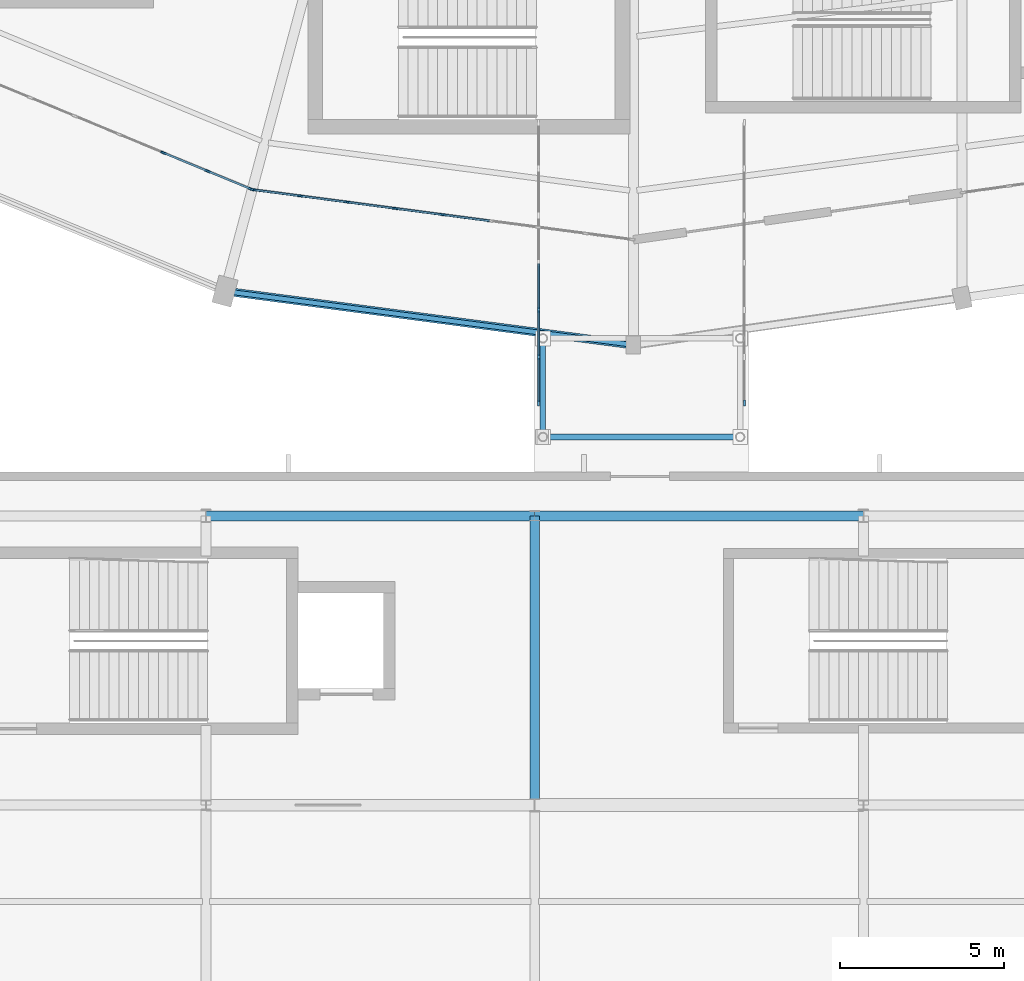
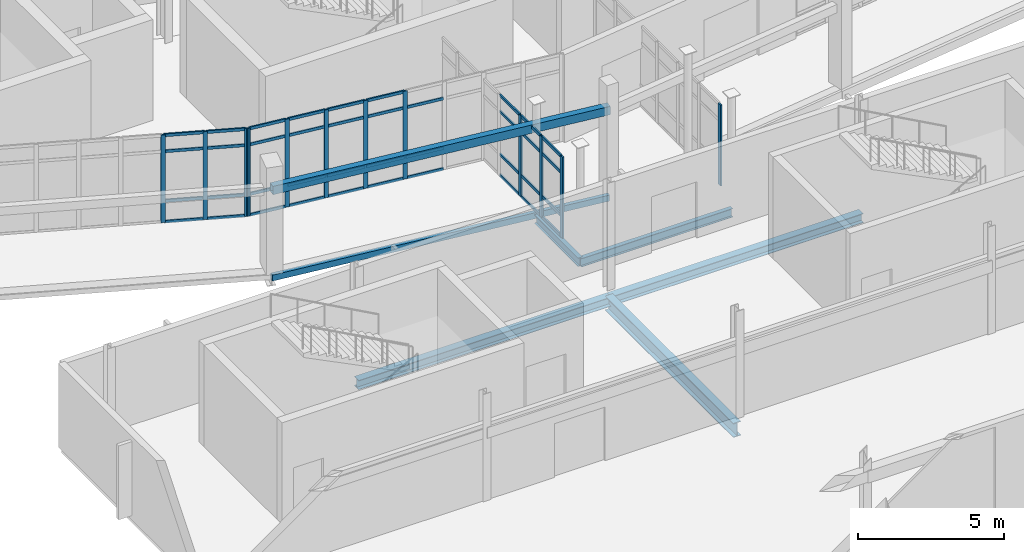
# One storey, part 35 of 122: 51 members, 7 beams, 4 elements without a shape of their own.
"""IFC4 building model written with IfcOpenShell, lengths in metres."""

from ifc_helpers import new_model, si_unit, direction, frame, origin, origin_2d, place, context, subcontext, project, spatial, rectangle, hollow_rectangle, i_section, extrude, material, layer, layer_set, material_profile, profile_set, type_object, element, aggregate, save


model = new_model("IFC4")

# Units and contexts
model_context = context("Model", 3, precision=1e-05, world=origin(), true_north=direction((0.0, 1.0)))
body_context = subcontext(model_context, "Body", "Model", "MODEL_VIEW")
ifc_project = project(units=[si_unit("LENGTHUNIT", "METRE"), si_unit("AREAUNIT", "SQUARE_METRE"), si_unit("VOLUMEUNIT", "CUBIC_METRE"), si_unit("PLANEANGLEUNIT", "RADIAN"), si_unit("MASSUNIT", "GRAM", prefix="KILO")], contexts=[model_context])

# Site, building, storey
site_placement = place(None, origin())
site = spatial("IfcSite", under=ifc_project, at=site_placement, CompositionType="ELEMENT")
building_placement = place(site_placement, origin())
building = spatial("IfcBuilding", under=site, at=building_placement, Name="Sohan Crest Arena", CompositionType="ELEMENT")
storey_placement = place(building_placement, origin())
storey = spatial("IfcBuildingStorey", under=building, at=storey_placement, Name="L00", CompositionType="ELEMENT", Elevation=0.0)

# Curtain wall, members
ifc_material_1 = material(Name="Thermally broken anodised aluminium", Category="aluminium")
ifc_layer_1 = layer(ifc_material_1, 0.179931640625, Name="Thermally broken anodised aluminium")
ifc_layer_set_1 = layer_set([ifc_layer_1], Name="Thermally broken anodised aluminium")
curtain_wall_type_1 = type_object("IfcCurtainWallType", Name="ARC-CW01", PredefinedType="NOTDEFINED", material=ifc_layer_set_1)
curtain_wall_1_placement = place(storey_placement, origin())
curtain_wall_1 = element("IfcCurtainWall", 1, at=curtain_wall_1_placement, inside=storey, type_object=curtain_wall_type_1, Name="Unitised curtain wall CW-006", PredefinedType="NOTDEFINED")
ifc_material_profile_1 = material_profile(ifc_material_1, rectangle(XDim=0.06005859375, YDim=0.159912109375, at=origin_2d()), Name="ALU-MULL 60x160")
ifc_profile_set_1 = profile_set([ifc_material_profile_1], Name="Thermally broken anodised aluminium")
member_type_1 = type_object("IfcMemberType", Name="ARC-CW-ML01", PredefinedType="MULLION", material=ifc_profile_set_1)
member_1_placement = place(storey_placement, frame((83.703857421875, 35.845703125, 0.0), z_axis=(0.0, 0.0, 1.0), x_axis=(0.38264128051, 0.923896991255, 0.0)))
member_1 = element("IfcMember", 2, at=member_1_placement, type_object=member_type_1, Name="CW-006 mullion 7", PredefinedType="MULLION", context=body_context, shape_type="SweptSolid", body=[
    extrude(rectangle(XDim=0.06005859375, YDim=0.159912109375, at=origin_2d()), origin(), (0.0, 0.0, 1.0), 3.679931640625),
])
member_2_placement = place(storey_placement, frame((85.054443359375, 35.286376953125, 0.0), z_axis=(0.0, 0.0, 1.0), x_axis=(0.38264128051, 0.923896991255, 0.0)))
member_2 = element("IfcMember", 3, at=member_2_placement, type_object=member_type_1, Name="CW-006 mullion 8", PredefinedType="MULLION", context=body_context, shape_type="SweptSolid", body=[
    extrude(rectangle(XDim=0.06005859375, YDim=0.159912109375, at=origin_2d()), origin(), (0.0, 0.0, 1.0), 3.679931640625),
])
member_3_placement = place(storey_placement, frame((86.377197265625, 34.738525390625, 0.0), z_axis=(0.0, 0.0, 1.0), x_axis=(0.38264128051, 0.923896991255, 0.0)))
member_3 = element("IfcMember", 4, at=member_3_placement, type_object=member_type_1, Name="CW-006 mullion 9", PredefinedType="MULLION", context=body_context, shape_type="SweptSolid", body=[
    extrude(rectangle(XDim=0.06005859375, YDim=0.159912109375, at=origin_2d()), origin(), (0.0, 0.0, 1.0), 3.679931640625),
])

curtain_wall_2_placement = place(storey_placement, origin())
curtain_wall_2 = element("IfcCurtainWall", 5, at=curtain_wall_2_placement, inside=storey, type_object=curtain_wall_type_1, Name="Unitised curtain wall CW-007", PredefinedType="NOTDEFINED")
member_4_placement = place(storey_placement, frame((86.434814453125, 34.72314453125, 0.0), z_axis=(0.0, 0.0, 1.0), x_axis=(0.13056731648, 0.991439446395, 0.0)))
member_4 = element("IfcMember", 6, at=member_4_placement, type_object=member_type_1, Name="CW-007 mullion 1", PredefinedType="MULLION", context=body_context, shape_type="SweptSolid", body=[
    extrude(rectangle(XDim=0.06005859375, YDim=0.159912109375, at=origin_2d()), origin(), (0.0, 0.0, 1.0), 3.679931640625),
])
member_5_placement = place(storey_placement, frame((87.8544921875, 34.5361328125, 0.0), z_axis=(0.0, 0.0, 1.0), x_axis=(0.13056731648, 0.991439446395, 0.0)))
member_5 = element("IfcMember", 7, at=member_5_placement, type_object=member_type_1, Name="CW-007 mullion 2", PredefinedType="MULLION", context=body_context, shape_type="SweptSolid", body=[
    extrude(rectangle(XDim=0.06005859375, YDim=0.159912109375, at=origin_2d()), origin(), (0.0, 0.0, 1.0), 3.679931640625),
])
member_6_placement = place(storey_placement, frame((89.3037109375, 34.34521484375, 0.0), z_axis=(0.0, 0.0, 1.0), x_axis=(0.13056731648, 0.991439446395, 0.0)))
member_6 = element("IfcMember", 8, at=member_6_placement, type_object=member_type_1, Name="CW-007 mullion 3", PredefinedType="MULLION", context=body_context, shape_type="SweptSolid", body=[
    extrude(rectangle(XDim=0.06005859375, YDim=0.159912109375, at=origin_2d()), origin(), (0.0, 0.0, 1.0), 3.679931640625),
])
member_7_placement = place(storey_placement, frame((90.753173828125, 34.154296875, 0.0), z_axis=(0.0, 0.0, 1.0), x_axis=(0.13056731648, 0.991439446395, 0.0)))
member_7 = element("IfcMember", 9, at=member_7_placement, type_object=member_type_1, Name="CW-007 mullion 4", PredefinedType="MULLION", context=body_context, shape_type="SweptSolid", body=[
    extrude(rectangle(XDim=0.06005859375, YDim=0.159912109375, at=origin_2d()), origin(), (0.0, 0.0, 1.0), 3.679931640625),
])
member_8_placement = place(storey_placement, frame((92.202392578125, 33.96337890625, 0.0), z_axis=(0.0, 0.0, 1.0), x_axis=(0.13056731648, 0.991439446395, 0.0)))
member_8 = element("IfcMember", 10, at=member_8_placement, type_object=member_type_1, Name="CW-007 mullion 5", PredefinedType="MULLION", context=body_context, shape_type="SweptSolid", body=[
    extrude(rectangle(XDim=0.06005859375, YDim=0.159912109375, at=origin_2d()), origin(), (0.0, 0.0, 1.0), 3.679931640625),
])

ifc_layer_2 = layer(ifc_material_1, 0.18994140625, Name="Thermally broken anodised aluminium")
ifc_layer_set_2 = layer_set([ifc_layer_2], Name="Thermally broken anodised aluminium")
curtain_wall_type_2 = type_object("IfcCurtainWallType", Name="ARC-CW05", PredefinedType="NOTDEFINED", material=ifc_layer_set_2)
curtain_wall_3_placement = place(storey_placement, origin())
curtain_wall_3 = element("IfcCurtainWall", 11, at=curtain_wall_3_placement, inside=storey, type_object=curtain_wall_type_2, Name="Unitised curtain wall CW-247", PredefinedType="NOTDEFINED")
ifc_material_profile_2 = material_profile(ifc_material_1, rectangle(XDim=0.06494140625, YDim=0.179931640625, at=origin_2d()), Name="ALU-MULL 65x180")
ifc_profile_set_2 = profile_set([ifc_material_profile_2], Name="Thermally broken anodised aluminium")
member_type_2 = type_object("IfcMemberType", Name="ARC-CW-ML02", PredefinedType="MULLION", material=ifc_profile_set_2)
member_9_placement = place(storey_placement, frame((95.1201171875, 28.232421875, 0.0), z_axis=(0.0, 0.0, 1.0), x_axis=(-1.0, 0.0, 0.0)))
member_9 = element("IfcMember", 12, at=member_9_placement, type_object=member_type_2, Name="CW-247 mullion 1", PredefinedType="MULLION", context=body_context, shape_type="SweptSolid", body=[
    extrude(rectangle(XDim=0.06494140625, YDim=0.179931640625, at=origin_2d()), origin(), (0.0, 0.0, 1.0), 3.39990234375),
])
member_10_placement = place(storey_placement, frame((95.1201171875, 29.63330078125, 0.0), z_axis=(0.0, 0.0, 1.0), x_axis=(-1.0, 0.0, 0.0)))
member_10 = element("IfcMember", 13, at=member_10_placement, type_object=member_type_2, Name="CW-247 mullion 2", PredefinedType="MULLION", context=body_context, shape_type="SweptSolid", body=[
    extrude(rectangle(XDim=0.06494140625, YDim=0.179931640625, at=origin_2d()), origin(), (0.0, 0.0, 1.0), 3.39990234375),
])
member_11_placement = place(storey_placement, frame((95.1201171875, 31.066650390625, 0.0), z_axis=(0.0, 0.0, 1.0), x_axis=(-1.0, 0.0, 0.0)))
member_11 = element("IfcMember", 14, at=member_11_placement, type_object=member_type_2, Name="CW-247 mullion 3", PredefinedType="MULLION", context=body_context, shape_type="SweptSolid", body=[
    extrude(rectangle(XDim=0.06494140625, YDim=0.179931640625, at=origin_2d()), origin(), (0.0, 0.0, 1.0), 3.39990234375),
])

# Curtain wall, member
curtain_wall_4_placement = place(storey_placement, origin())
curtain_wall_4 = element("IfcCurtainWall", 15, at=curtain_wall_4_placement, inside=storey, type_object=curtain_wall_type_2, Name="Unitised curtain wall CW-248", PredefinedType="NOTDEFINED")
member_12_placement = place(storey_placement, frame((101.3798828125, 28.232421875, 0.0), z_axis=(0.0, 0.0, 1.0), x_axis=(-1.0, 0.0, 0.0)))
member_12 = element("IfcMember", 16, at=member_12_placement, type_object=member_type_2, Name="CW-248 mullion 1", PredefinedType="MULLION", context=body_context, shape_type="SweptSolid", body=[
    extrude(rectangle(XDim=0.06494140625, YDim=0.179931640625, at=origin_2d()), origin(), (0.0, 0.0, 1.0), 3.39990234375),
])
aggregate(curtain_wall_4, [member_12])

# Member
ifc_material_profile_3 = material_profile(ifc_material_1, rectangle(XDim=0.06005859375, YDim=0.1201171875, at=origin_2d()), Name="ALU-TRAN 60x120")
ifc_profile_set_3 = profile_set([ifc_material_profile_3], Name="Thermally broken anodised aluminium")
member_type_3 = type_object("IfcMemberType", Name="ARC-CW-TR01", PredefinedType="USERDEFINED", material=ifc_profile_set_3)
member_13_placement = place(storey_placement, frame((83.7314453125, 35.834228515625, 0.030029296875), z_axis=(0.923904341671, -0.382623532262, 0.0), x_axis=(0.382623532262, 0.923904341671, 0.0)))
member_13 = element("IfcMember", 17, at=member_13_placement, type_object=member_type_3, Name="CW-006 transom 7.1", ObjectType="TRANSOM", PredefinedType="USERDEFINED", context=body_context, shape_type="SweptSolid", body=[
    extrude(rectangle(XDim=0.06005859375, YDim=0.1201171875, at=origin_2d()), origin(), (0.0, 0.0, 1.0), 1.40185546875),
])

member_14_placement = place(storey_placement, frame((83.7314453125, 35.834228515625, 0.89990234375), z_axis=(0.923904341671, -0.382623532262, 0.0), x_axis=(0.382623532262, 0.923904341671, 0.0)))
member_14 = element("IfcMember", 18, at=member_14_placement, type_object=member_type_3, Name="CW-006 transom 7.2", ObjectType="TRANSOM", PredefinedType="USERDEFINED", context=body_context, shape_type="SweptSolid", body=[
    extrude(rectangle(XDim=0.06005859375, YDim=0.1201171875, at=origin_2d()), origin(), (0.0, 0.0, 1.0), 1.40185546875),
])

member_15_placement = place(storey_placement, frame((83.7314453125, 35.834228515625, 2.97998046875), z_axis=(0.923904341671, -0.382623532262, 0.0), x_axis=(0.382623532262, 0.923904341671, 0.0)))
member_15 = element("IfcMember", 19, at=member_15_placement, type_object=member_type_3, Name="CW-006 transom 7.3", ObjectType="TRANSOM", PredefinedType="USERDEFINED", context=body_context, shape_type="SweptSolid", body=[
    extrude(rectangle(XDim=0.06005859375, YDim=0.1201171875, at=origin_2d()), origin(), (0.0, 0.0, 1.0), 1.40185546875),
])

member_16_placement = place(storey_placement, frame((83.7314453125, 35.834228515625, 3.64990234375), z_axis=(0.923904341671, -0.382623532262, 0.0), x_axis=(0.382623532262, 0.923904341671, 0.0)))
member_16 = element("IfcMember", 20, at=member_16_placement, type_object=member_type_3, Name="CW-006 transom 7.4", ObjectType="TRANSOM", PredefinedType="USERDEFINED", context=body_context, shape_type="SweptSolid", body=[
    extrude(rectangle(XDim=0.06005859375, YDim=0.1201171875, at=origin_2d()), origin(), (0.0, 0.0, 1.0), 1.40185546875),
])

member_17_placement = place(storey_placement, frame((85.08203125, 35.27490234375, 0.030029296875), z_axis=(0.923917076656, -0.382592780202, 0.0), x_axis=(0.382592780202, 0.923917076656, 0.0)))
member_17 = element("IfcMember", 21, at=member_17_placement, type_object=member_type_3, Name="CW-006 transom 8.1", ObjectType="TRANSOM", PredefinedType="USERDEFINED", context=body_context, shape_type="SweptSolid", body=[
    extrude(rectangle(XDim=0.06005859375, YDim=0.1201171875, at=origin_2d()), origin(), (0.0, 0.0, 1.0), 1.3720703125),
])

member_18_placement = place(storey_placement, frame((85.08203125, 35.27490234375, 0.89990234375), z_axis=(0.923917076656, -0.382592780202, 0.0), x_axis=(0.382592780202, 0.923917076656, 0.0)))
member_18 = element("IfcMember", 22, at=member_18_placement, type_object=member_type_3, Name="CW-006 transom 8.2", ObjectType="TRANSOM", PredefinedType="USERDEFINED", context=body_context, shape_type="SweptSolid", body=[
    extrude(rectangle(XDim=0.06005859375, YDim=0.1201171875, at=origin_2d()), origin(), (0.0, 0.0, 1.0), 1.3720703125),
])

member_19_placement = place(storey_placement, frame((85.08203125, 35.27490234375, 2.97998046875), z_axis=(0.923917076656, -0.382592780202, 0.0), x_axis=(0.382592780202, 0.923917076656, 0.0)))
member_19 = element("IfcMember", 23, at=member_19_placement, type_object=member_type_3, Name="CW-006 transom 8.3", ObjectType="TRANSOM", PredefinedType="USERDEFINED", context=body_context, shape_type="SweptSolid", body=[
    extrude(rectangle(XDim=0.06005859375, YDim=0.1201171875, at=origin_2d()), origin(), (0.0, 0.0, 1.0), 1.3720703125),
])

member_20_placement = place(storey_placement, frame((85.08203125, 35.27490234375, 3.64990234375), z_axis=(0.923917076656, -0.382592780202, 0.0), x_axis=(0.382592780202, 0.923917076656, 0.0)))
member_20 = element("IfcMember", 24, at=member_20_placement, type_object=member_type_3, Name="CW-006 transom 8.4", ObjectType="TRANSOM", PredefinedType="USERDEFINED", context=body_context, shape_type="SweptSolid", body=[
    extrude(rectangle(XDim=0.06005859375, YDim=0.1201171875, at=origin_2d()), origin(), (0.0, 0.0, 1.0), 1.3720703125),
])

aggregate(curtain_wall_1, [member_1, member_2, member_3, member_13, member_14, member_15, member_16, member_17, member_18, member_19, member_20])

member_21_placement = place(storey_placement, frame((86.464599609375, 34.71923828125, 0.030029296875), z_axis=(0.991431868961, -0.130624841468, 0.0), x_axis=(0.130624841468, 0.991431868961, 0.0)))
member_21 = element("IfcMember", 25, at=member_21_placement, type_object=member_type_3, Name="CW-007 transom 1.1", ObjectType="TRANSOM", PredefinedType="USERDEFINED", context=body_context, shape_type="SweptSolid", body=[
    extrude(rectangle(XDim=0.06005859375, YDim=0.1201171875, at=origin_2d()), origin(), (0.0, 0.0, 1.0), 1.371826171875),
])

member_22_placement = place(storey_placement, frame((86.464599609375, 34.71923828125, 0.89990234375), z_axis=(0.991431868961, -0.130624841468, 0.0), x_axis=(0.130624841468, 0.991431868961, 0.0)))
member_22 = element("IfcMember", 26, at=member_22_placement, type_object=member_type_3, Name="CW-007 transom 1.2", ObjectType="TRANSOM", PredefinedType="USERDEFINED", context=body_context, shape_type="SweptSolid", body=[
    extrude(rectangle(XDim=0.06005859375, YDim=0.1201171875, at=origin_2d()), origin(), (0.0, 0.0, 1.0), 1.371826171875),
])

member_23_placement = place(storey_placement, frame((86.464599609375, 34.71923828125, 2.97998046875), z_axis=(0.991431868961, -0.130624841468, 0.0), x_axis=(0.130624841468, 0.991431868961, 0.0)))
member_23 = element("IfcMember", 27, at=member_23_placement, type_object=member_type_3, Name="CW-007 transom 1.3", ObjectType="TRANSOM", PredefinedType="USERDEFINED", context=body_context, shape_type="SweptSolid", body=[
    extrude(rectangle(XDim=0.06005859375, YDim=0.1201171875, at=origin_2d()), origin(), (0.0, 0.0, 1.0), 1.371826171875),
])

member_24_placement = place(storey_placement, frame((86.464599609375, 34.71923828125, 3.64990234375), z_axis=(0.991431868961, -0.130624841468, 0.0), x_axis=(0.130624841468, 0.991431868961, 0.0)))
member_24 = element("IfcMember", 28, at=member_24_placement, type_object=member_type_3, Name="CW-007 transom 1.4", ObjectType="TRANSOM", PredefinedType="USERDEFINED", context=body_context, shape_type="SweptSolid", body=[
    extrude(rectangle(XDim=0.06005859375, YDim=0.1201171875, at=origin_2d()), origin(), (0.0, 0.0, 1.0), 1.371826171875),
])

member_25_placement = place(storey_placement, frame((87.884033203125, 34.5322265625, 0.030029296875), z_axis=(0.9914335368, -0.130612182083, 0.0), x_axis=(0.130612182083, 0.9914335368, 0.0)))
member_25 = element("IfcMember", 29, at=member_25_placement, type_object=member_type_3, Name="CW-007 transom 2.1", ObjectType="TRANSOM", PredefinedType="USERDEFINED", context=body_context, shape_type="SweptSolid", body=[
    extrude(rectangle(XDim=0.06005859375, YDim=0.1201171875, at=origin_2d()), origin(), (0.0, 0.0, 1.0), 1.40185546875),
])

member_26_placement = place(storey_placement, frame((87.884033203125, 34.5322265625, 0.89990234375), z_axis=(0.9914335368, -0.130612182083, 0.0), x_axis=(0.130612182083, 0.9914335368, 0.0)))
member_26 = element("IfcMember", 30, at=member_26_placement, type_object=member_type_3, Name="CW-007 transom 2.2", ObjectType="TRANSOM", PredefinedType="USERDEFINED", context=body_context, shape_type="SweptSolid", body=[
    extrude(rectangle(XDim=0.06005859375, YDim=0.1201171875, at=origin_2d()), origin(), (0.0, 0.0, 1.0), 1.40185546875),
])

member_27_placement = place(storey_placement, frame((87.884033203125, 34.5322265625, 2.97998046875), z_axis=(0.9914335368, -0.130612182083, 0.0), x_axis=(0.130612182083, 0.9914335368, 0.0)))
member_27 = element("IfcMember", 31, at=member_27_placement, type_object=member_type_3, Name="CW-007 transom 2.3", ObjectType="TRANSOM", PredefinedType="USERDEFINED", context=body_context, shape_type="SweptSolid", body=[
    extrude(rectangle(XDim=0.06005859375, YDim=0.1201171875, at=origin_2d()), origin(), (0.0, 0.0, 1.0), 1.40185546875),
])

member_28_placement = place(storey_placement, frame((87.884033203125, 34.5322265625, 3.64990234375), z_axis=(0.9914335368, -0.130612182083, 0.0), x_axis=(0.130612182083, 0.9914335368, 0.0)))
member_28 = element("IfcMember", 32, at=member_28_placement, type_object=member_type_3, Name="CW-007 transom 2.4", ObjectType="TRANSOM", PredefinedType="USERDEFINED", context=body_context, shape_type="SweptSolid", body=[
    extrude(rectangle(XDim=0.06005859375, YDim=0.1201171875, at=origin_2d()), origin(), (0.0, 0.0, 1.0), 1.40185546875),
])

member_29_placement = place(storey_placement, frame((89.33349609375, 34.34130859375, 0.030029296875), z_axis=(0.9914335368, -0.130612182083, 0.0), x_axis=(0.130612182083, 0.9914335368, 0.0)))
member_29 = element("IfcMember", 33, at=member_29_placement, type_object=member_type_3, Name="CW-007 transom 3.1", ObjectType="TRANSOM", PredefinedType="USERDEFINED", context=body_context, shape_type="SweptSolid", body=[
    extrude(rectangle(XDim=0.06005859375, YDim=0.1201171875, at=origin_2d()), origin(), (0.0, 0.0, 1.0), 1.40185546875),
])

member_30_placement = place(storey_placement, frame((89.33349609375, 34.34130859375, 0.89990234375), z_axis=(0.9914335368, -0.130612182083, 0.0), x_axis=(0.130612182083, 0.9914335368, 0.0)))
member_30 = element("IfcMember", 34, at=member_30_placement, type_object=member_type_3, Name="CW-007 transom 3.2", ObjectType="TRANSOM", PredefinedType="USERDEFINED", context=body_context, shape_type="SweptSolid", body=[
    extrude(rectangle(XDim=0.06005859375, YDim=0.1201171875, at=origin_2d()), origin(), (0.0, 0.0, 1.0), 1.40185546875),
])

member_31_placement = place(storey_placement, frame((89.33349609375, 34.34130859375, 2.97998046875), z_axis=(0.9914335368, -0.130612182083, 0.0), x_axis=(0.130612182083, 0.9914335368, 0.0)))
member_31 = element("IfcMember", 35, at=member_31_placement, type_object=member_type_3, Name="CW-007 transom 3.3", ObjectType="TRANSOM", PredefinedType="USERDEFINED", context=body_context, shape_type="SweptSolid", body=[
    extrude(rectangle(XDim=0.06005859375, YDim=0.1201171875, at=origin_2d()), origin(), (0.0, 0.0, 1.0), 1.40185546875),
])

member_32_placement = place(storey_placement, frame((89.33349609375, 34.34130859375, 3.64990234375), z_axis=(0.9914335368, -0.130612182083, 0.0), x_axis=(0.130612182083, 0.9914335368, 0.0)))
member_32 = element("IfcMember", 36, at=member_32_placement, type_object=member_type_3, Name="CW-007 transom 3.4", ObjectType="TRANSOM", PredefinedType="USERDEFINED", context=body_context, shape_type="SweptSolid", body=[
    extrude(rectangle(XDim=0.06005859375, YDim=0.1201171875, at=origin_2d()), origin(), (0.0, 0.0, 1.0), 1.40185546875),
])

member_33_placement = place(storey_placement, frame((90.782958984375, 34.150390625, 0.030029296875), z_axis=(0.991456073737, -0.130440997581, 0.0), x_axis=(0.130440997581, 0.991456073737, 0.0)))
member_33 = element("IfcMember", 37, at=member_33_placement, type_object=member_type_3, Name="CW-007 transom 4.1", ObjectType="TRANSOM", PredefinedType="USERDEFINED", context=body_context, shape_type="SweptSolid", body=[
    extrude(rectangle(XDim=0.06005859375, YDim=0.1201171875, at=origin_2d()), origin(), (0.0, 0.0, 1.0), 1.40185546875),
])

member_34_placement = place(storey_placement, frame((90.782958984375, 34.150390625, 0.89990234375), z_axis=(0.991456073737, -0.130440997581, 0.0), x_axis=(0.130440997581, 0.991456073737, 0.0)))
member_34 = element("IfcMember", 38, at=member_34_placement, type_object=member_type_3, Name="CW-007 transom 4.2", ObjectType="TRANSOM", PredefinedType="USERDEFINED", context=body_context, shape_type="SweptSolid", body=[
    extrude(rectangle(XDim=0.06005859375, YDim=0.1201171875, at=origin_2d()), origin(), (0.0, 0.0, 1.0), 1.40185546875),
])

member_35_placement = place(storey_placement, frame((90.782958984375, 34.150390625, 2.97998046875), z_axis=(0.991456073737, -0.130440997581, 0.0), x_axis=(0.130440997581, 0.991456073737, 0.0)))
member_35 = element("IfcMember", 39, at=member_35_placement, type_object=member_type_3, Name="CW-007 transom 4.3", ObjectType="TRANSOM", PredefinedType="USERDEFINED", context=body_context, shape_type="SweptSolid", body=[
    extrude(rectangle(XDim=0.06005859375, YDim=0.1201171875, at=origin_2d()), origin(), (0.0, 0.0, 1.0), 1.40185546875),
])

member_36_placement = place(storey_placement, frame((90.782958984375, 34.150390625, 3.64990234375), z_axis=(0.991456073737, -0.130440997581, 0.0), x_axis=(0.130440997581, 0.991456073737, 0.0)))
member_36 = element("IfcMember", 40, at=member_36_placement, type_object=member_type_3, Name="CW-007 transom 4.4", ObjectType="TRANSOM", PredefinedType="USERDEFINED", context=body_context, shape_type="SweptSolid", body=[
    extrude(rectangle(XDim=0.06005859375, YDim=0.1201171875, at=origin_2d()), origin(), (0.0, 0.0, 1.0), 1.40185546875),
])

member_37_placement = place(storey_placement, frame((92.232177734375, 33.95947265625, 0.030029296875), z_axis=(0.991456073737, -0.130440997581, 0.0), x_axis=(0.130440997581, 0.991456073737, 0.0)))
member_37 = element("IfcMember", 41, at=member_37_placement, type_object=member_type_3, Name="CW-007 transom 5.1", ObjectType="TRANSOM", PredefinedType="USERDEFINED", context=body_context, shape_type="SweptSolid", body=[
    extrude(rectangle(XDim=0.06005859375, YDim=0.1201171875, at=origin_2d()), origin(), (0.0, 0.0, 1.0), 1.40185546875),
])

member_38_placement = place(storey_placement, frame((92.232177734375, 33.95947265625, 0.89990234375), z_axis=(0.991456073737, -0.130440997581, 0.0), x_axis=(0.130440997581, 0.991456073737, 0.0)))
member_38 = element("IfcMember", 42, at=member_38_placement, type_object=member_type_3, Name="CW-007 transom 5.2", ObjectType="TRANSOM", PredefinedType="USERDEFINED", context=body_context, shape_type="SweptSolid", body=[
    extrude(rectangle(XDim=0.06005859375, YDim=0.1201171875, at=origin_2d()), origin(), (0.0, 0.0, 1.0), 1.40185546875),
])

member_39_placement = place(storey_placement, frame((92.232177734375, 33.95947265625, 2.97998046875), z_axis=(0.991456073737, -0.130440997581, 0.0), x_axis=(0.130440997581, 0.991456073737, 0.0)))
member_39 = element("IfcMember", 43, at=member_39_placement, type_object=member_type_3, Name="CW-007 transom 5.3", ObjectType="TRANSOM", PredefinedType="USERDEFINED", context=body_context, shape_type="SweptSolid", body=[
    extrude(rectangle(XDim=0.06005859375, YDim=0.1201171875, at=origin_2d()), origin(), (0.0, 0.0, 1.0), 1.40185546875),
])

aggregate(curtain_wall_2, [member_4, member_5, member_6, member_7, member_8, member_21, member_22, member_23, member_24, member_25, member_26, member_27, member_28, member_29, member_30, member_31, member_32, member_33, member_34, member_35, member_36, member_37, member_38, member_39])

member_40_placement = place(storey_placement, frame((95.1201171875, 28.264892578125, 0.030029296875), z_axis=(0.0, 1.0, 0.0), x_axis=(-1.0, 0.0, 0.0)))
member_40 = element("IfcMember", 44, at=member_40_placement, type_object=member_type_3, Name="CW-247 transom 1.1", ObjectType="TRANSOM", PredefinedType="USERDEFINED", context=body_context, shape_type="SweptSolid", body=[
    extrude(rectangle(XDim=0.06005859375, YDim=0.1201171875, at=origin_2d()), origin(), (0.0, 0.0, 1.0), 1.3359375),
])

member_41_placement = place(storey_placement, frame((95.1201171875, 28.264892578125, 0.89990234375), z_axis=(0.0, 1.0, 0.0), x_axis=(-1.0, 0.0, 0.0)))
member_41 = element("IfcMember", 45, at=member_41_placement, type_object=member_type_3, Name="CW-247 transom 1.2", ObjectType="TRANSOM", PredefinedType="USERDEFINED", context=body_context, shape_type="SweptSolid", body=[
    extrude(rectangle(XDim=0.06005859375, YDim=0.1201171875, at=origin_2d()), origin(), (0.0, 0.0, 1.0), 1.3359375),
])

member_42_placement = place(storey_placement, frame((95.1201171875, 28.264892578125, 2.699951171875), z_axis=(0.0, 1.0, 0.0), x_axis=(-1.0, 0.0, 0.0)))
member_42 = element("IfcMember", 46, at=member_42_placement, type_object=member_type_3, Name="CW-247 transom 1.3", ObjectType="TRANSOM", PredefinedType="USERDEFINED", context=body_context, shape_type="SweptSolid", body=[
    extrude(rectangle(XDim=0.06005859375, YDim=0.1201171875, at=origin_2d()), origin(), (0.0, 0.0, 1.0), 1.3359375),
])

member_43_placement = place(storey_placement, frame((95.1201171875, 28.264892578125, 3.3701171875), z_axis=(0.0, 1.0, 0.0), x_axis=(-1.0, 0.0, 0.0)))
member_43 = element("IfcMember", 47, at=member_43_placement, type_object=member_type_3, Name="CW-247 transom 1.4", ObjectType="TRANSOM", PredefinedType="USERDEFINED", context=body_context, shape_type="SweptSolid", body=[
    extrude(rectangle(XDim=0.06005859375, YDim=0.1201171875, at=origin_2d()), origin(), (0.0, 0.0, 1.0), 1.3359375),
])

member_44_placement = place(storey_placement, frame((95.1201171875, 29.665771484375, 0.030029296875), z_axis=(0.0, 1.0, 0.0), x_axis=(-1.0, 0.0, 0.0)))
member_44 = element("IfcMember", 48, at=member_44_placement, type_object=member_type_3, Name="CW-247 transom 2.1", ObjectType="TRANSOM", PredefinedType="USERDEFINED", context=body_context, shape_type="SweptSolid", body=[
    extrude(rectangle(XDim=0.06005859375, YDim=0.1201171875, at=origin_2d()), origin(), (0.0, 0.0, 1.0), 1.368408203125),
])

member_45_placement = place(storey_placement, frame((95.1201171875, 29.665771484375, 0.89990234375), z_axis=(0.0, 1.0, 0.0), x_axis=(-1.0, 0.0, 0.0)))
member_45 = element("IfcMember", 49, at=member_45_placement, type_object=member_type_3, Name="CW-247 transom 2.2", ObjectType="TRANSOM", PredefinedType="USERDEFINED", context=body_context, shape_type="SweptSolid", body=[
    extrude(rectangle(XDim=0.06005859375, YDim=0.1201171875, at=origin_2d()), origin(), (0.0, 0.0, 1.0), 1.368408203125),
])

member_46_placement = place(storey_placement, frame((95.1201171875, 29.665771484375, 2.699951171875), z_axis=(0.0, 1.0, 0.0), x_axis=(-1.0, 0.0, 0.0)))
member_46 = element("IfcMember", 50, at=member_46_placement, type_object=member_type_3, Name="CW-247 transom 2.3", ObjectType="TRANSOM", PredefinedType="USERDEFINED", context=body_context, shape_type="SweptSolid", body=[
    extrude(rectangle(XDim=0.06005859375, YDim=0.1201171875, at=origin_2d()), origin(), (0.0, 0.0, 1.0), 1.368408203125),
])

member_47_placement = place(storey_placement, frame((95.1201171875, 29.665771484375, 3.3701171875), z_axis=(0.0, 1.0, 0.0), x_axis=(-1.0, 0.0, 0.0)))
member_47 = element("IfcMember", 51, at=member_47_placement, type_object=member_type_3, Name="CW-247 transom 2.4", ObjectType="TRANSOM", PredefinedType="USERDEFINED", context=body_context, shape_type="SweptSolid", body=[
    extrude(rectangle(XDim=0.06005859375, YDim=0.1201171875, at=origin_2d()), origin(), (0.0, 0.0, 1.0), 1.368408203125),
])

member_48_placement = place(storey_placement, frame((95.1201171875, 31.09912109375, 0.030029296875), z_axis=(0.0, 1.0, 0.0), x_axis=(-1.0, 0.0, 0.0)))
member_48 = element("IfcMember", 52, at=member_48_placement, type_object=member_type_3, Name="CW-247 transom 3.1", ObjectType="TRANSOM", PredefinedType="USERDEFINED", context=body_context, shape_type="SweptSolid", body=[
    extrude(rectangle(XDim=0.06005859375, YDim=0.1201171875, at=origin_2d()), origin(), (0.0, 0.0, 1.0), 1.368408203125),
])

member_49_placement = place(storey_placement, frame((95.1201171875, 31.09912109375, 0.89990234375), z_axis=(0.0, 1.0, 0.0), x_axis=(-1.0, 0.0, 0.0)))
member_49 = element("IfcMember", 53, at=member_49_placement, type_object=member_type_3, Name="CW-247 transom 3.2", ObjectType="TRANSOM", PredefinedType="USERDEFINED", context=body_context, shape_type="SweptSolid", body=[
    extrude(rectangle(XDim=0.06005859375, YDim=0.1201171875, at=origin_2d()), origin(), (0.0, 0.0, 1.0), 1.368408203125),
])

member_50_placement = place(storey_placement, frame((95.1201171875, 31.09912109375, 2.699951171875), z_axis=(0.0, 1.0, 0.0), x_axis=(-1.0, 0.0, 0.0)))
member_50 = element("IfcMember", 54, at=member_50_placement, type_object=member_type_3, Name="CW-247 transom 3.3", ObjectType="TRANSOM", PredefinedType="USERDEFINED", context=body_context, shape_type="SweptSolid", body=[
    extrude(rectangle(XDim=0.06005859375, YDim=0.1201171875, at=origin_2d()), origin(), (0.0, 0.0, 1.0), 1.368408203125),
])

member_51_placement = place(storey_placement, frame((95.1201171875, 31.09912109375, 3.3701171875), z_axis=(0.0, 1.0, 0.0), x_axis=(-1.0, 0.0, 0.0)))
member_51 = element("IfcMember", 55, at=member_51_placement, type_object=member_type_3, Name="CW-247 transom 3.4", ObjectType="TRANSOM", PredefinedType="USERDEFINED", context=body_context, shape_type="SweptSolid", body=[
    extrude(rectangle(XDim=0.06005859375, YDim=0.1201171875, at=origin_2d()), origin(), (0.0, 0.0, 1.0), 1.368408203125),
])

aggregate(curtain_wall_3, [member_9, member_10, member_11, member_40, member_41, member_42, member_43, member_44, member_45, member_46, member_47, member_48, member_49, member_50, member_51])

# Beams
ifc_material_2 = material(Name="Steel S355", Category="steel")
ifc_material_profile_4 = material_profile(ifc_material_2, i_section(OverallWidth=0.169921875, OverallDepth=0.360107421875, WebThickness=0.008056640625, FlangeThickness=0.0126953125, at=origin_2d()), Name="IPE 360")
ifc_profile_set_4 = profile_set([ifc_material_profile_4], Name="Steel S355")
beam_type_1 = type_object("IfcBeamType", Name="STR-BM-B02", PredefinedType="JOIST", material=ifc_profile_set_4)
beam_1_placement = place(storey_placement, frame((95.25, 27.199951171875, -0.455078125), z_axis=(0.0, 1.0, 0.0), x_axis=(-1.0, 0.0, 0.0)))
element("IfcBeam", 56, at=beam_1_placement, inside=storey, type_object=beam_type_1, Name="Structural beam BG-L00-2984", PredefinedType="JOIST", context=body_context, shape_type="SweptSolid", body=[
    extrude(i_section(OverallWidth=0.169921875, OverallDepth=0.360107421875, WebThickness=0.008056640625, FlangeThickness=0.0126953125, at=origin_2d()), origin(), (0.0, 0.0, 1.0), 3.0),
])
beam_2_placement = place(storey_placement, frame((95.25, 27.199951171875, -0.455078125), z_axis=(1.0, 0.0, 0.0), x_axis=(0.0, 1.0, 0.0)))
element("IfcBeam", 57, at=beam_2_placement, inside=storey, type_object=beam_type_1, Name="Structural beam BG-L00-2986", PredefinedType="JOIST", context=body_context, shape_type="SweptSolid", body=[
    extrude(i_section(OverallWidth=0.169921875, OverallDepth=0.360107421875, WebThickness=0.008056640625, FlangeThickness=0.0126953125, at=origin_2d()), origin(), (0.0, 0.0, 1.0), 6.0),
])
ifc_material_profile_5 = material_profile(ifc_material_2, i_section(OverallWidth=0.300048828125, OverallDepth=0.389892578125, WebThickness=0.010986328125, FlangeThickness=0.01904296875, at=origin_2d()), Name="HEA 400")
ifc_profile_set_5 = profile_set([ifc_material_profile_5], Name="Steel S355")
beam_type_2 = type_object("IfcBeamType", Name="STR-BM-B09", PredefinedType="BEAM", material=ifc_profile_set_5)
for number, where, z_axis, x_axis, name in (
    (58, (85.0, 24.800048828125, -0.4951171875), (1.0, 0.0, 0.0), (0.0, 1.0, 0.0), "Structural beam G-L00-2565"),
    (59, (95.0, 24.800048828125, -0.4951171875), (1.0, 0.0, 0.0), (0.0, 1.0, 0.0), "Structural beam G-L00-2566"),
):
    element("IfcBeam", number, at=place(storey_placement, frame(where, z_axis=z_axis, x_axis=x_axis)), inside=storey, type_object=beam_type_2, Name=name, PredefinedType="BEAM", context=body_context, shape_type="SweptSolid", body=[
        extrude(i_section(OverallWidth=0.300048828125, OverallDepth=0.389892578125, WebThickness=0.010986328125, FlangeThickness=0.01904296875, at=origin_2d()), origin(), (0.0, 0.0, 1.0), 10.0),
    ])
ifc_material_profile_6 = material_profile(ifc_material_2, i_section(OverallWidth=0.300048828125, OverallDepth=0.60009765625, WebThickness=0.015380859375, FlangeThickness=0.030029296875, at=origin_2d()), Name="HEB 600")
ifc_profile_set_6 = profile_set([ifc_material_profile_6], Name="Steel S355")
beam_type_3 = type_object("IfcBeamType", Name="STR-BM-B15", PredefinedType="BEAM", material=ifc_profile_set_6)
beam_3_placement = place(storey_placement, frame((95.0, 16.0, -0.60009765625), z_axis=(0.0, 1.0, 0.0), x_axis=(-1.0, 0.0, 0.0)))
element("IfcBeam", 60, at=beam_3_placement, inside=storey, type_object=beam_type_3, Name="Structural beam G-L00-2508", PredefinedType="BEAM", context=body_context, shape_type="SweptSolid", body=[
    extrude(i_section(OverallWidth=0.300048828125, OverallDepth=0.60009765625, WebThickness=0.015380859375, FlangeThickness=0.030029296875, at=origin_2d()), origin(), (0.0, 0.0, 1.0), 8.800048828125),
])
ifc_material_profile_7 = material_profile(ifc_material_2, hollow_rectangle(XDim=0.14990234375, YDim=0.25, WallThickness=0.010009765625, at=origin_2d()), Name="RHS 250x150x10")
ifc_profile_set_7 = profile_set([ifc_material_profile_7], Name="Steel S355")
beam_type_4 = type_object("IfcBeamType", Name="STR-BM-SP02", PredefinedType="SPANDREL", material=ifc_profile_set_7)
beam_4_placement = place(storey_placement, frame((85.576904296875, 31.635986328125, -0.39990234375), z_axis=(0.991440164207, -0.130561865783, 0.0), x_axis=(0.130561865783, 0.991440164207, 0.0)))
element("IfcBeam", 61, at=beam_4_placement, inside=storey, type_object=beam_type_4, Name="Structural beam SP-L00-0958", PredefinedType="SPANDREL", context=body_context, shape_type="SweptSolid", body=[
    extrude(hollow_rectangle(XDim=0.14990234375, YDim=0.25, WallThickness=0.010009765625, at=origin_2d()), origin(), (0.0, 0.0, 1.0), 12.5302734375),
])
ifc_material_profile_8 = material_profile(ifc_material_2, hollow_rectangle(XDim=0.25, YDim=0.35009765625, WallThickness=0.012451171875, at=origin_2d()), Name="RHS 350x250x12.5")
ifc_profile_set_8 = profile_set([ifc_material_profile_8], Name="Steel S355")
beam_type_5 = type_object("IfcBeamType", Name="STR-BM-SP04", PredefinedType="SPANDREL", material=ifc_profile_set_8)
beam_5_placement = place(storey_placement, frame((85.576904296875, 31.635986328125, 3.300048828125), z_axis=(0.991440164207, -0.130561865783, 0.0), x_axis=(0.130561865783, 0.991440164207, 0.0)))
element("IfcBeam", 62, at=beam_5_placement, inside=storey, type_object=beam_type_5, Name="Structural beam ARC-L00-0959", PredefinedType="SPANDREL", context=body_context, shape_type="SweptSolid", body=[
    extrude(hollow_rectangle(XDim=0.25, YDim=0.35009765625, WallThickness=0.012451171875, at=origin_2d()), origin(), (0.0, 0.0, 1.0), 12.5302734375),
])

save(model, "model.ifc")
